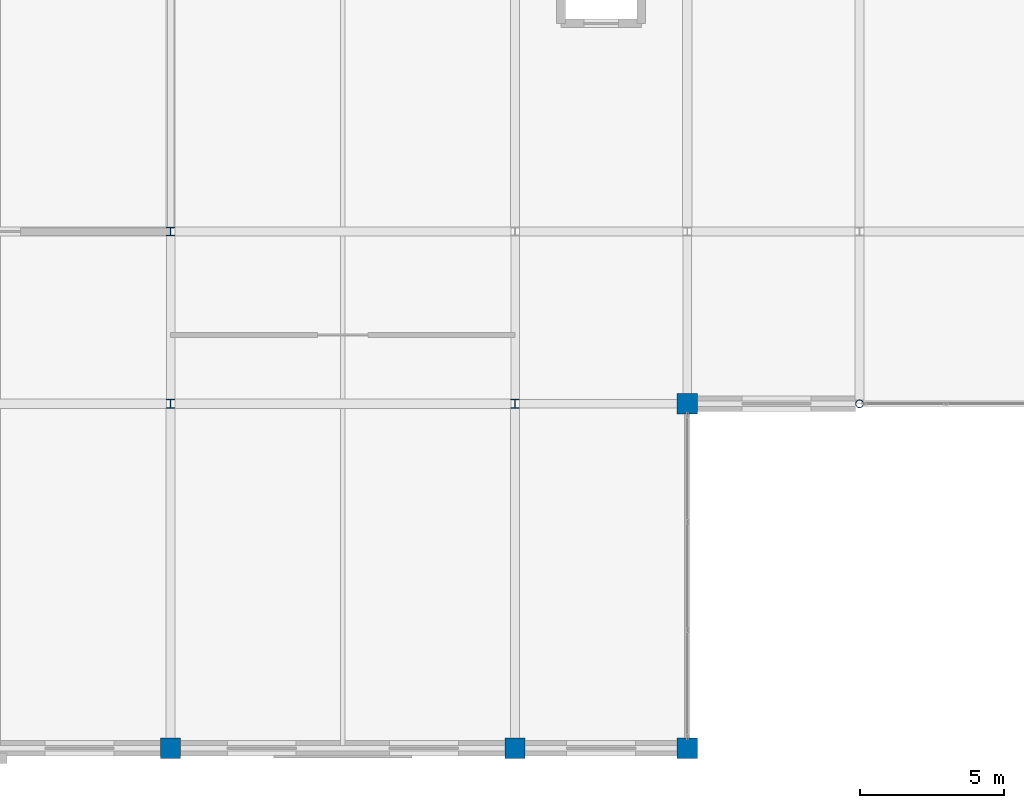
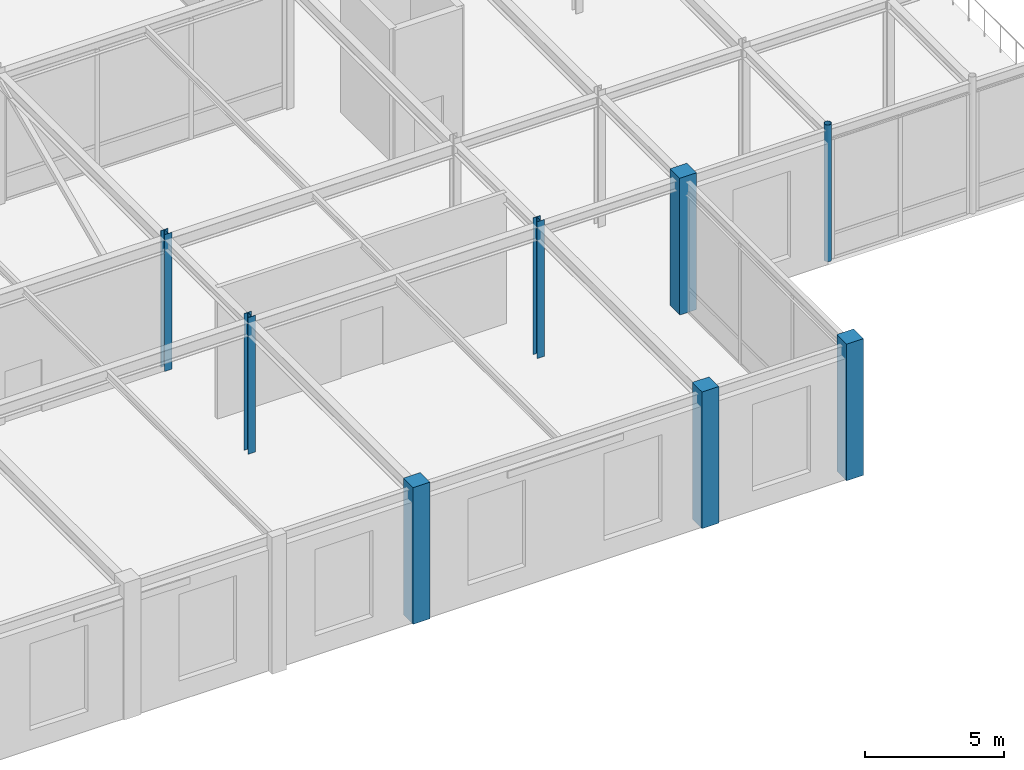
# One storey, part 3 of 108: 8 columns.
"""IFC4 building model written with IfcOpenShell, lengths in metres."""

from ifc_helpers import new_model, si_unit, direction, frame, origin, origin_2d, place, context, subcontext, project, spatial, rectangle, hollow_circle, i_section, extrude, material, material_profile, profile_set, type_object, element, save


model = new_model("IFC4")

# Units and contexts
model_context = context("Model", 3, precision=1e-05, world=origin(), true_north=direction((0.0, 1.0)))
body_context = subcontext(model_context, "Body", "Model", "MODEL_VIEW")
ifc_project = project(units=[si_unit("LENGTHUNIT", "METRE"), si_unit("AREAUNIT", "SQUARE_METRE"), si_unit("VOLUMEUNIT", "CUBIC_METRE"), si_unit("PLANEANGLEUNIT", "RADIAN"), si_unit("MASSUNIT", "GRAM", prefix="KILO")], contexts=[model_context])

# Site, building, storey
site_placement = place(None, origin())
site = spatial("IfcSite", under=ifc_project, at=site_placement, CompositionType="ELEMENT")
building_placement = place(site_placement, origin())
building = spatial("IfcBuilding", under=site, at=building_placement, Name="Zlatovratsky Civic Hall", CompositionType="ELEMENT")
storey_placement = place(building_placement, frame((0.0, 0.0, 6.0)))
storey = spatial("IfcBuildingStorey", under=building, at=storey_placement, Name="L02", CompositionType="ELEMENT", Elevation=6.0)

# Columns
ifc_material_1 = material(Name="Concrete C35/45 (B40)", Category="concrete")
ifc_material_profile_1 = material_profile(ifc_material_1, rectangle(XDim=0.699951171875, YDim=0.699951171875, at=origin_2d()), Name="RC 700x700")
ifc_profile_set_1 = profile_set([ifc_material_profile_1], Name="Concrete C35/45 (B40)")
column_type_1 = type_object("IfcColumnType", Name="Col_CorePier_RC700", PredefinedType="COLUMN", material=ifc_profile_set_1)
for number, where, z_axis, x_axis, name in (
    (1, (36.0, 0.0, 0.0), (0.0, 0.0, 1.0), (1.0, 0.0, 0.0), "CL-0826"),
    (2, (48.0, 0.0, 0.0), (0.0, 0.0, 1.0), (1.0, 0.0, 0.0), "CL-0827"),
    (3, (54.0, 0.0, 0.0), (0.0, 0.0, 1.0), (1.0, 0.0, 0.0), "CL-0828"),
    (4, (54.0, 12.0, 0.0), (0.0, 0.0, 1.0), (1.0, 0.0, 0.0), "CL-0842"),
):
    element("IfcColumn", number, at=place(storey_placement, frame(where, z_axis=z_axis, x_axis=x_axis)), inside=storey, type_object=column_type_1, Name=name, PredefinedType="COLUMN", context=body_context, shape_type="SweptSolid", body=[
        extrude(rectangle(XDim=0.699951171875, YDim=0.699951171875, at=origin_2d()), origin(), (0.0, 0.0, 1.0), 6.0),
    ])
ifc_material_2 = material(Name="Steel S355", Category="steel")
ifc_material_profile_2 = material_profile(ifc_material_2, hollow_circle(Radius=0.136474609375, WallThickness=0.010009765625, at=origin_2d()), Name="CHS 273x10")
ifc_profile_set_2 = profile_set([ifc_material_profile_2], Name="Steel S355")
column_type_2 = type_object("IfcColumnType", Name="Col_Portico_CHS273", PredefinedType="COLUMN", material=ifc_profile_set_2)
column_placement = place(storey_placement, frame((60.0, 12.0, 0.0), z_axis=(0.0, 0.0, 1.0), x_axis=(1.0, 0.0, 0.0)))
element("IfcColumn", 5, at=column_placement, inside=storey, type_object=column_type_2, Name="CL-0843", PredefinedType="COLUMN", context=body_context, shape_type="SweptSolid", body=[
    extrude(hollow_circle(Radius=0.136474609375, WallThickness=0.010009765625, at=origin_2d()), origin(), (0.0, 0.0, 1.0), 6.0),
])
ifc_material_profile_3 = material_profile(ifc_material_2, i_section(OverallWidth=0.300048828125, OverallDepth=0.300048828125, WebThickness=0.010009765625, FlangeThickness=0.014892578125, FilletRadius=0.01806640625, at=origin_2d()), Name="30K2")
ifc_profile_set_3 = profile_set([ifc_material_profile_3], Name="Steel S355")
column_type_3 = type_object("IfcColumnType", Name="Col_Steel_30K2", PredefinedType="COLUMN", material=ifc_profile_set_3)
for number, where, z_axis, x_axis, name in (
    (6, (36.0, 12.0, 0.0), (0.0, 0.0, 1.0), (1.0, 0.0, 0.0), "CL-0840"),
    (7, (48.0, 12.0, 0.0), (0.0, 0.0, 1.0), (1.0, 0.0, 0.0), "CL-0841"),
    (8, (36.0, 18.0, 0.0), (0.0, 0.0, 1.0), (1.0, 0.0, 0.0), "CL-0863"),
):
    element("IfcColumn", number, at=place(storey_placement, frame(where, z_axis=z_axis, x_axis=x_axis)), inside=storey, type_object=column_type_3, Name=name, PredefinedType="COLUMN", context=body_context, shape_type="SweptSolid", body=[
        extrude(i_section(OverallWidth=0.300048828125, OverallDepth=0.300048828125, WebThickness=0.010009765625, FlangeThickness=0.014892578125, FilletRadius=0.01806640625, at=origin_2d()), origin(), (0.0, 0.0, 1.0), 6.0),
    ])

save(model, "model.ifc")
